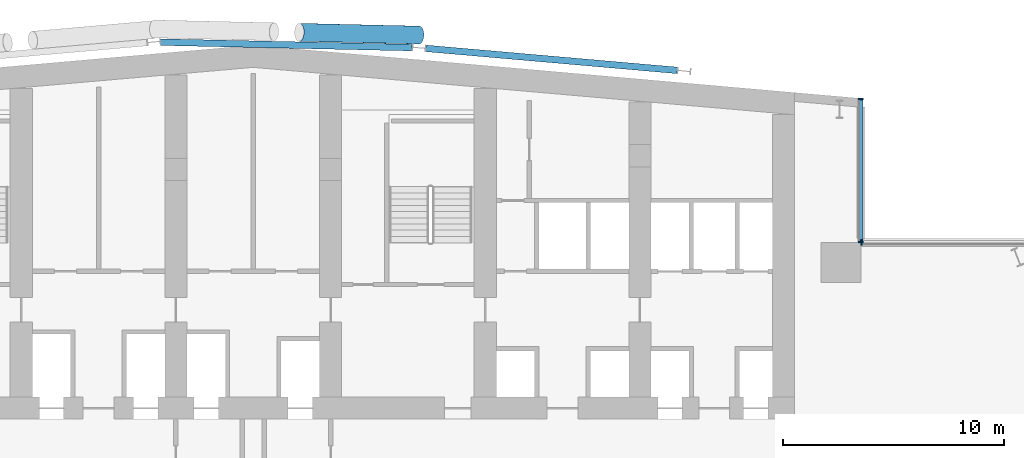
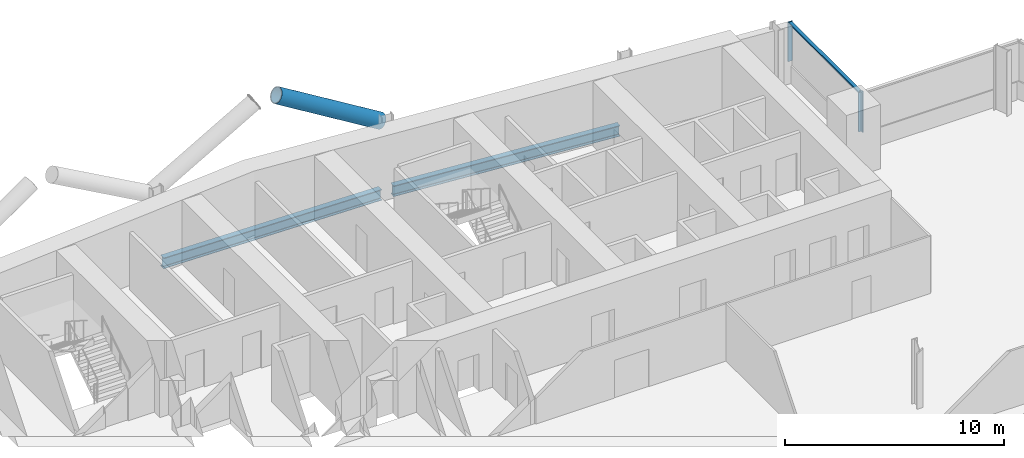
# One storey, part 9 of 27: 5 members, 2 beams, 2 elements without a shape of their own.
"""IFC4 building model written with IfcOpenShell, lengths in metres."""

from ifc_helpers import new_model, si_unit, direction, frame, origin, origin_2d, place, context, subcontext, project, spatial, rectangle, hollow_circle, i_section, extrude, material, material_profile, profile_set, type_object, element, aggregate, save


model = new_model("IFC4")

# Units and contexts
model_context = context("Model", 3, precision=1e-05, world=origin(), true_north=direction((0.0, 1.0)))
body_context = subcontext(model_context, "Body", "Model", "MODEL_VIEW")
ifc_project = project(units=[si_unit("LENGTHUNIT", "METRE"), si_unit("AREAUNIT", "SQUARE_METRE"), si_unit("VOLUMEUNIT", "CUBIC_METRE"), si_unit("PLANEANGLEUNIT", "RADIAN"), si_unit("MASSUNIT", "GRAM", prefix="KILO")], contexts=[model_context])

# Site, building, storey
site_placement = place(None, origin())
site = spatial("IfcSite", under=ifc_project, at=site_placement, CompositionType="ELEMENT")
building_placement = place(site_placement, origin())
building = spatial("IfcBuilding", under=site, at=building_placement, Name="Wharfspan Tower", CompositionType="ELEMENT")
storey_placement = place(building_placement, frame((0.0, 0.0, 136.300049)))
storey = spatial("IfcBuildingStorey", under=building, at=storey_placement, Name="L32", CompositionType="ELEMENT", Elevation=136.300049)

# Beams
ifc_material_1 = material(Name="Steel S355J2", Category="steel")
ifc_material_profile_1 = material_profile(ifc_material_1, i_section(OverallWidth=0.300049, OverallDepth=0.600098, WebThickness=0.015381, FlangeThickness=0.030029, FilletRadius=0.0271, at=origin_2d()))
ifc_profile_set_1 = profile_set([ifc_material_profile_1], Name="Steel S355J2")
beam_type = type_object("IfcBeamType", Name="Edge beam HEB 600", PredefinedType="SPANDREL", material=ifc_profile_set_1)
beam_1_placement = place(storey_placement, frame((59.695068, 49.791504, -0.699951), z_axis=(-0.996194, 0.087162, 0.0), x_axis=(-0.087162, -0.996194, 0.0)))
element("IfcBeam", 1, at=beam_1_placement, inside=storey, type_object=beam_type, Name="Edge beam N2 L32 R.4 to R.3", PredefinedType="SPANDREL", context=body_context, shape_type="SweptSolid", body=[
    extrude(i_section(OverallWidth=0.300049, OverallDepth=0.600098, WebThickness=0.015381, FlangeThickness=0.030029, FilletRadius=0.0271, at=origin_2d()), origin(), (0.0, 0.0, 1.0), 11.433594),
])
beam_2_placement = place(storey_placement, frame((36.307861, 51.070557, -0.699951), z_axis=(0.99976, -0.021888, 0.0), x_axis=(0.021888, 0.99976, 0.0)))
element("IfcBeam", 2, at=beam_2_placement, inside=storey, type_object=beam_type, Name="Edge beam L32 R.2 to R.3", PredefinedType="SPANDREL", context=body_context, shape_type="SweptSolid", body=[
    extrude(i_section(OverallWidth=0.300049, OverallDepth=0.600098, WebThickness=0.015381, FlangeThickness=0.030029, FilletRadius=0.0271, at=origin_2d()), origin(), (0.0, 0.0, 1.0), 11.388184),
])

# Curtain wall, member
ifc_material_2 = material(Name="Aluminium 6063-T6", Category="aluminium")
curtain_wall_type = type_object("IfcCurtainWallType", Name="CURTAIN WALL PROW AND END", PredefinedType="NOTDEFINED", material=ifc_material_2)
curtain_wall_1_placement = place(storey_placement, origin())
curtain_wall_1 = element("IfcCurtainWall", 3, at=curtain_wall_1_placement, inside=storey, type_object=curtain_wall_type, Name="Curtain wall NRE-H", PredefinedType="NOTDEFINED")
ifc_material_profile_2 = material_profile(ifc_material_2, rectangle(XDim=0.23999, YDim=0.060059, at=origin_2d()))
ifc_profile_set_2 = profile_set([ifc_material_profile_2], Name="Aluminium 6063-T6")
member_type_1 = type_object("IfcMemberType", Name="MULLION PROW AND END 60x240", PredefinedType="MULLION", material=ifc_profile_set_2)
member_1_placement = place(storey_placement, frame((68.030029, 42.0, 1.0), z_axis=(0.0, 0.0, 1.0), x_axis=(0.0, -1.0, 0.0)))
member_1 = element("IfcMember", 4, at=member_1_placement, type_object=member_type_1, Name="Curtain wall NRE-H mullion 2", PredefinedType="MULLION", context=body_context, shape_type="SweptSolid", body=[
    extrude(rectangle(XDim=0.23999, YDim=0.060059, at=origin_2d()), origin(), (0.0, 0.0, 1.0), 2.199951),
])
aggregate(curtain_wall_1, [member_1])

# Curtain wall, members
curtain_wall_2_placement = place(storey_placement, origin())
curtain_wall_2 = element("IfcCurtainWall", 5, at=curtain_wall_2_placement, inside=storey, type_object=curtain_wall_type, Name="Curtain wall NRE-V", PredefinedType="NOTDEFINED")
member_2_placement = place(storey_placement, frame((68.0, 42.030029, 1.0), z_axis=(0.0, 0.0, 1.0), x_axis=(-1.0, 0.0, 0.0)))
member_2 = element("IfcMember", 6, at=member_2_placement, type_object=member_type_1, Name="Curtain wall NRE-V mullion 1", PredefinedType="MULLION", context=body_context, shape_type="SweptSolid", body=[
    extrude(rectangle(XDim=0.23999, YDim=0.060059, at=origin_2d()), origin(), (0.0, 0.0, 1.0), 2.199951),
])
member_3_placement = place(storey_placement, frame((68.0, 48.494873, 1.0), z_axis=(0.0, 0.0, 1.0), x_axis=(-1.0, 0.0, 0.0)))
member_3 = element("IfcMember", 7, at=member_3_placement, type_object=member_type_1, Name="Curtain wall NRE-V mullion 2", PredefinedType="MULLION", context=body_context, shape_type="SweptSolid", body=[
    extrude(rectangle(XDim=0.23999, YDim=0.060059, at=origin_2d()), origin(), (0.0, 0.0, 1.0), 2.199951),
])

# Member
ifc_material_3 = material(Name="Steel S460NH", Category="steel")
ifc_material_profile_3 = material_profile(ifc_material_3, hollow_circle(Radius=0.406494, WallThickness=0.040039, at=origin_2d()))
ifc_profile_set_3 = profile_set([ifc_material_profile_3], Name="Steel S460NH")
member_type_2 = type_object("IfcMemberType", Name="Mega brace CHS 813x40", PredefinedType="BRACE", material=ifc_profile_set_3)
member_4_placement = place(storey_placement, frame((48.012695, 51.390381, 2.899902), z_axis=(-0.857327, 0.019686, 0.514396), x_axis=(-0.022956, -0.999736, 0.0)))
element("IfcMember", 8, at=member_4_placement, inside=storey, type_object=member_type_2, Name="Mega brace N7 L33 part 3", PredefinedType="BRACE", context=body_context, shape_type="SweptSolid", body=[
    extrude(hollow_circle(Radius=0.406494, WallThickness=0.040039, at=origin_2d()), origin(), (0.0, 0.0, 1.0), 6.324707),
])

ifc_material_profile_4 = material_profile(ifc_material_2, rectangle(XDim=0.179932, YDim=0.080078, at=origin_2d()))
ifc_profile_set_4 = profile_set([ifc_material_profile_4], Name="Aluminium 6063-T6")
member_type_3 = type_object("IfcMemberType", Name="TRANSOM PROW AND END 80x180", PredefinedType="USERDEFINED", material=ifc_profile_set_4)
member_5_placement = place(storey_placement, frame((68.0, 42.060059, 3.159912), z_axis=(0.0, 1.0, 0.0), x_axis=(-1.0, 0.0, 0.0)))
member_5 = element("IfcMember", 9, at=member_5_placement, type_object=member_type_3, Name="Curtain wall NRE-V transom 1", ObjectType="TRANSOM", PredefinedType="USERDEFINED", context=body_context, shape_type="SweptSolid", body=[
    extrude(rectangle(XDim=0.179932, YDim=0.080078, at=origin_2d()), origin(), (0.0, 0.0, 1.0), 6.404785),
])

aggregate(curtain_wall_2, [member_2, member_3, member_5])

save(model, "model.ifc")
